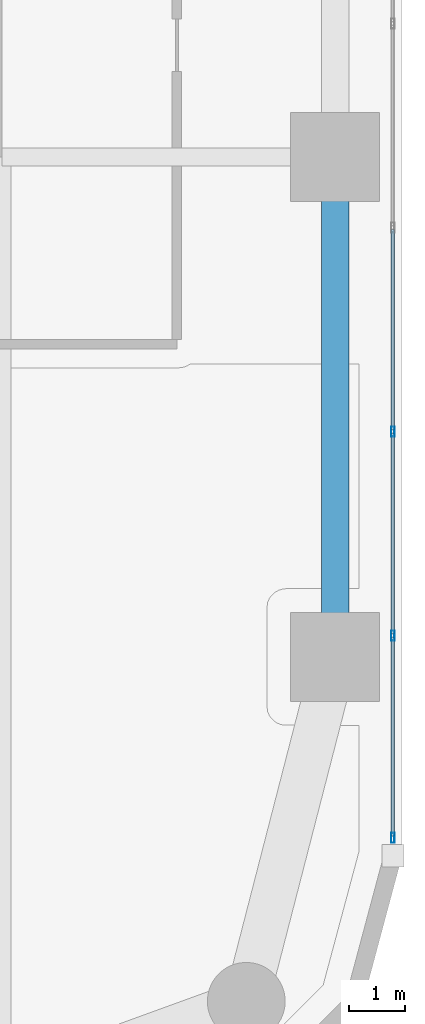
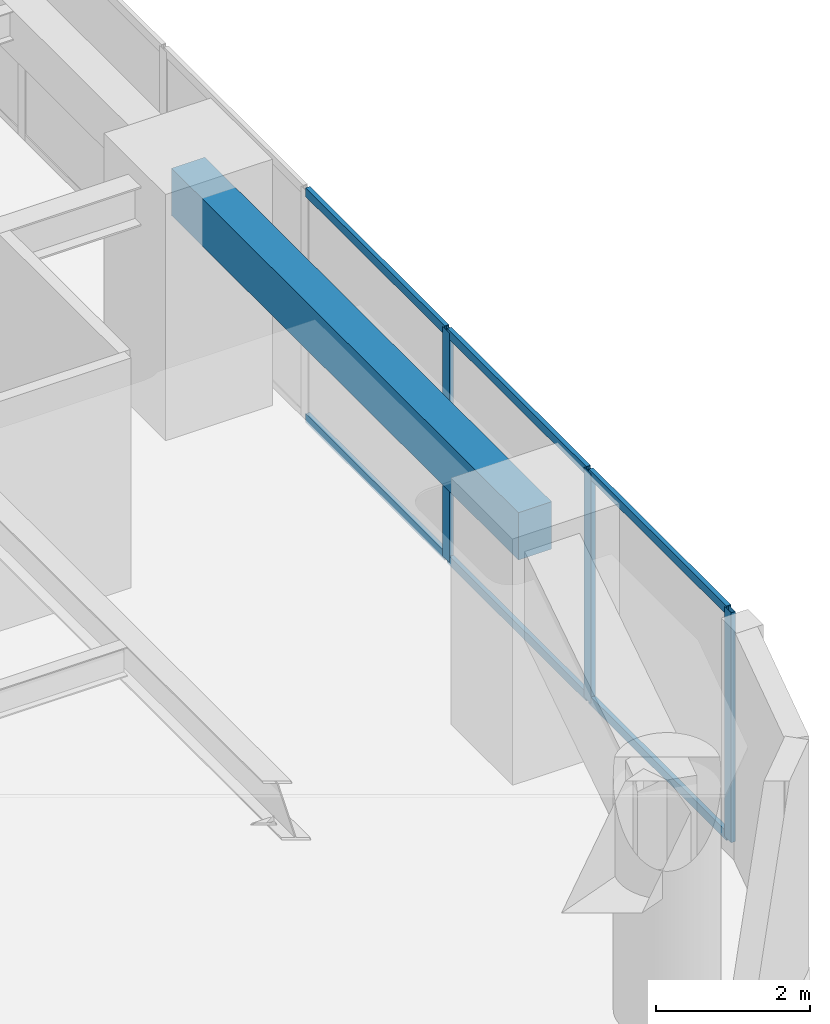
# One storey, part 4 of 24: 9 members, 1 beam, 1 element without a shape of its own.
"""IFC4 building model written with IfcOpenShell, lengths in metres."""

import ifcopenshell
import ifcopenshell.guid

model = None  # the IFC model being written
_history = None  # IfcOwnerHistory: only IFC2X3 demands one
_inside = {}  # id of a spatial element -> (the spatial element, [elements in it])
_under = {}  # id of a project, library or spatial element -> (it, [spatial elements below it])
_declared = {}  # id of a project -> (the project, [libraries it declares])
_typed = {}  # id of a type object -> (the type object, [elements of that type])
_made_of = {}  # id of a material, layer set ... -> (it, [elements and type objects made of it])


def new_model(schema):
    """Start an empty IFC model of exactly this schema.

    Asked for "IFC4X3", IfcOpenShell would pick the latest addendum, in which some entities
    have other attributes; the version numbers below select the first issue.
    IFC2X3 requires an IfcOwnerHistory on every rooted entity: one is made here for all.
    """
    global model, _history
    if schema == "IFC4X3":
        model = ifcopenshell.file(schema_version=(4, 3, 0, 0))
    else:
        model = ifcopenshell.file(schema=schema)
    _inside.clear()
    _under.clear()
    _declared.clear()
    _typed.clear()
    _made_of.clear()
    _history = None
    if model.schema == "IFC2X3":
        org = make("IfcOrganization", Name="unknown")
        user = make(
            "IfcPersonAndOrganization",
            ThePerson=make("IfcPerson", FamilyName="unknown"),
            TheOrganization=org,
        )
        app = make(
            "IfcApplication",
            ApplicationDeveloper=org,
            Version="unknown",
            ApplicationFullName="unknown",
            ApplicationIdentifier="unknown",
        )
        _history = make(
            "IfcOwnerHistory",
            OwningUser=user,
            OwningApplication=app,
            ChangeAction="ADDED",
            CreationDate=0,
        )
    return model


def make(cls, **values):
    """One entity of the class cls with the attributes given. An attribute that is None is left unset."""
    return model.create_entity(
        cls, **{name: value for name, value in values.items() if value is not None}
    )


def rooted(cls, **values):
    """An entity with a GlobalId (a new one), such as an element, a storey or a relation."""
    return make(cls, GlobalId=ifcopenshell.guid.new(), OwnerHistory=_history, **values)


def si_unit(unit_type, name, prefix=None):
    """IfcSIUnit, for example si_unit("LENGTHUNIT", "METRE", prefix="MILLI")."""
    return make("IfcSIUnit", UnitType=unit_type, Prefix=prefix, Name=name)


def assignment(units):
    """IfcUnitAssignment: the units of a project."""
    return None if units is None else make("IfcUnitAssignment", Units=units)


def point(xyz):
    """IfcCartesianPoint."""
    return None if xyz is None else make("IfcCartesianPoint", Coordinates=xyz)


def direction(xyz):
    """IfcDirection."""
    return None if xyz is None else make("IfcDirection", DirectionRatios=xyz)


def frame(location, z_axis=None, x_axis=None):
    """IfcAxis2Placement3D, a coordinate frame: its origin and axes. An axis left out is left unset."""
    return make(
        "IfcAxis2Placement3D",
        Location=point(location),
        Axis=direction(z_axis),
        RefDirection=direction(x_axis),
    )


def frame_2d(location, x_axis=None):
    """IfcAxis2Placement2D, a coordinate frame in the plane: its origin and x axis."""
    return make(
        "IfcAxis2Placement2D", Location=point(location), RefDirection=direction(x_axis)
    )


def origin():
    """The frame at (0, 0, 0) with its axes left unset."""
    return frame((0.0, 0.0, 0.0))


def origin_2d():
    """The frame at (0, 0) in the plane with its x axis left unset."""
    return frame_2d((0.0, 0.0))


def place(relative_to, where):
    """IfcLocalPlacement: puts the frame where relative to a parent placement (None: the world)."""
    return make(
        "IfcLocalPlacement", PlacementRelTo=relative_to, RelativePlacement=where
    )


def context(
    kind, dimensions, precision=None, world=None, true_north=None, identifier=None
):
    """IfcGeometricRepresentationContext, for example the 3D "Model" context."""
    return make(
        "IfcGeometricRepresentationContext",
        ContextIdentifier=identifier,
        ContextType=kind,
        CoordinateSpaceDimension=dimensions,
        Precision=precision,
        WorldCoordinateSystem=world,
        TrueNorth=true_north,
    )


def subcontext(parent, identifier, kind, view, scale=None):
    """IfcGeometricRepresentationSubContext, for example "Body" below "Model"."""
    return make(
        "IfcGeometricRepresentationSubContext",
        ContextIdentifier=identifier,
        ContextType=kind,
        ParentContext=parent,
        TargetScale=scale,
        TargetView=view,
    )


def project(units=None, contexts=None):
    """IfcProject with its units and contexts."""
    return rooted(
        "IfcProject",
        Name="project",
        RepresentationContexts=contexts,
        UnitsInContext=assignment(units),
    )


def spatial(cls, under=None, at=None, **own):
    """A site, building, storey or space (cls), placed at a placement, below another one or the project."""
    s = rooted(cls, ObjectPlacement=at, **own)
    if under is not None:
        _under.setdefault(under.id(), (under, []))[1].append(s)
    return s


def profile(cls, at=None, kind="AREA", **sizes):
    """A parametric profile (cls). Its sizes go by their IFC names, for example OverallWidth=200.0."""
    return make(cls, ProfileType=kind, Position=at, **sizes)


def rectangle(**sizes):
    """IfcRectangleProfileDef."""
    return profile("IfcRectangleProfileDef", **sizes)


def hollow_rectangle(**sizes):
    """IfcRectangleHollowProfileDef."""
    return profile("IfcRectangleHollowProfileDef", **sizes)


def extrude(swept, where, along, depth):
    """IfcExtrudedAreaSolid: the profile swept, set in the frame where, extruded along a direction by depth."""
    return make(
        "IfcExtrudedAreaSolid",
        SweptArea=swept,
        Position=where,
        ExtrudedDirection=direction(along),
        Depth=depth,
    )


def shape(context_of_items, identifier, shape_type, items):
    """IfcShapeRepresentation: the items that make up one representation, for example the "Body"."""
    return make(
        "IfcShapeRepresentation",
        ContextOfItems=context_of_items,
        RepresentationIdentifier=identifier,
        RepresentationType=shape_type,
        Items=items,
    )


def material(Name=None, Category=None):
    """IfcMaterial."""
    return make("IfcMaterial", Name=Name, Category=Category)


def layer(
    of_material, thickness, ventilated=None, Name=None, Category=None, Priority=None
):
    """IfcMaterialLayer: one layer of a wall or slab, of a material (None: an air gap)."""
    return make(
        "IfcMaterialLayer",
        Material=of_material,
        LayerThickness=thickness,
        IsVentilated=ventilated,
        Name=Name,
        Category=Category,
        Priority=Priority,
    )


def layer_set(layers, Name=None):
    """IfcMaterialLayerSet."""
    return make("IfcMaterialLayerSet", MaterialLayers=layers, LayerSetName=Name)


def material_profile(
    of_material, cross_section, Name=None, Category=None, Priority=None
):
    """IfcMaterialProfile: a cross section and its material."""
    return make(
        "IfcMaterialProfile",
        Name=Name,
        Material=of_material,
        Profile=cross_section,
        Priority=Priority,
        Category=Category,
    )


def profile_set(profiles, Name=None, composite=None):
    """IfcMaterialProfileSet."""
    return make(
        "IfcMaterialProfileSet",
        Name=Name,
        MaterialProfiles=profiles,
        CompositeProfile=composite,
    )


def made_of(thing, what):
    """Note that an element or type object is made of a material, layer set ...; save() writes the relation."""
    if what is not None:
        _made_of.setdefault(what.id(), (what, []))[1].append(thing)
    return thing


def type_object(cls, material=None, **own):
    """A type object (cls), such as IfcWallType, which elements share."""
    return made_of(rooted(cls, **own), material)


def element(
    cls,
    number,
    at=None,
    inside=None,
    cuts=None,
    type_object=None,
    material=None,
    context=None,
    identifier="Body",
    shape_type=None,
    held_by="IfcProductDefinitionShape",
    body=None,
    shapes=None,
    **own,
):
    """One element of the class cls, such as IfcWall. Its Tag is "e" and its number.

    at: its placement. inside: the storey or other place that contains it. cuts: it is an
    opening in that element (IfcRelVoidsElement). A single representation is given by context,
    identifier, shape_type and body (its items); several are given by shapes. held_by: the class
    of the entity that holds the representations. save() writes the other relations.
    """
    e = rooted(cls, Tag="e%d" % number, ObjectPlacement=at, **own)
    if body is not None:
        shapes = [shape(context, identifier, shape_type, body)]
    if shapes is not None:
        e.Representation = make(held_by, Representations=shapes)
    if inside is not None:
        _inside.setdefault(inside.id(), (inside, []))[1].append(e)
    if cuts is not None:
        rooted(
            "IfcRelVoidsElement", RelatingBuildingElement=cuts, RelatedOpeningElement=e
        )
    if type_object is not None:
        _typed.setdefault(type_object.id(), (type_object, []))[1].append(e)
    return made_of(e, material)


def aggregate(whole, parts):
    """IfcRelAggregates: a whole, such as a stair, and the parts it consists of."""
    return rooted("IfcRelAggregates", RelatingObject=whole, RelatedObjects=parts)


def save(model, path):
    """Write the relations noted so far, then the file.

    IfcRelAggregates (storeys below a building ...), IfcRelContainedInSpatialStructure (elements
    in a storey), IfcRelDefinesByType, IfcRelAssociatesMaterial and IfcRelDeclares: one each for
    every whole, place, type object, material and project.
    """
    for whole, parts in _under.values():
        aggregate(whole, parts)
    for where, things in _inside.values():
        rooted(
            "IfcRelContainedInSpatialStructure",
            RelatedElements=things,
            RelatingStructure=where,
        )
    for kind, things in _typed.values():
        rooted("IfcRelDefinesByType", RelatedObjects=things, RelatingType=kind)
    for what, things in _made_of.values():
        rooted("IfcRelAssociatesMaterial", RelatedObjects=things, RelatingMaterial=what)
    for by, libraries in _declared.values():
        rooted("IfcRelDeclares", RelatingContext=by, RelatedDefinitions=libraries)
    model.write(path)


model = new_model("IFC4")

# Units and contexts
model_context = context("Model", 3, precision=1e-05, world=origin(), true_north=direction((0.0, 1.0)))
body_context = subcontext(model_context, "Body", "Model", "MODEL_VIEW")
ifc_project = project(units=[si_unit("LENGTHUNIT", "METRE"), si_unit("AREAUNIT", "SQUARE_METRE"), si_unit("VOLUMEUNIT", "CUBIC_METRE"), si_unit("PLANEANGLEUNIT", "RADIAN"), si_unit("MASSUNIT", "GRAM", prefix="KILO")], contexts=[model_context])

# Site, building, storey
site_placement = place(None, origin())
site = spatial("IfcSite", under=ifc_project, at=site_placement, CompositionType="ELEMENT")
building_placement = place(site_placement, origin())
building = spatial("IfcBuilding", under=site, at=building_placement, Name="Kiyonajd Concourse Tower", CompositionType="ELEMENT")
storey_placement = place(building_placement, frame((0.0, 0.0, 85.800048828125)))
storey = spatial("IfcBuildingStorey", under=building, at=storey_placement, Name="L22", CompositionType="ELEMENT", Elevation=85.800048828125)

# Beam
ifc_material_1 = material(Name="Precast concrete C50/60", Category="concrete")
ifc_material_profile_1 = material_profile(ifc_material_1, rectangle(XDim=0.5, YDim=0.75, at=origin_2d()), Name="RCBM-500x750")
ifc_profile_set_1 = profile_set([ifc_material_profile_1], Name="Precast concrete C50/60")
beam_type = type_object("IfcBeamType", Name="BM-SPAN-RC", PredefinedType="SPANDREL", material=ifc_profile_set_1)
beam_placement = place(storey_placement, frame((69.60009765625, 18.60009765625, 3.264892578125), z_axis=(0.0, 1.0, 0.0), x_axis=(-1.0, 0.0, 0.0)))
element("IfcBeam", 1, at=beam_placement, inside=storey, type_object=beam_type, Name="L22 Perimeter Bundled Tube Spandrel", PredefinedType="SPANDREL", context=body_context, shape_type="SweptSolid", body=[
    extrude(rectangle(XDim=0.5, YDim=0.75, at=origin_2d()), origin(), (0.0, 0.0, 1.0), 9.0),
])

# Curtain wall, members
ifc_material_2 = material(Name="Thermally Broken Anodised Aluminium", Category="aluminium")
ifc_layer = layer(ifc_material_2, 0.179931640625)
ifc_layer_set = layer_set([ifc_layer], Name="Thermally Broken Anodised Aluminium")
curtain_wall_type = type_object("IfcCurtainWallType", Name="CW-SYS-03", PredefinedType="NOTDEFINED", material=ifc_layer_set)
curtain_wall_placement = place(storey_placement, origin())
curtain_wall = element("IfcCurtainWall", 2, at=curtain_wall_placement, inside=storey, type_object=curtain_wall_type, Name="L22 Unitised Curtain Wall CW3", PredefinedType="NOTDEFINED")
ifc_material_profile_2 = material_profile(ifc_material_2, hollow_rectangle(XDim=0.06494140625, YDim=0.179931640625, WallThickness=0.00390625, at=origin_2d()), Name="MULL-65x180")
ifc_profile_set_2 = profile_set([ifc_material_profile_2], Name="Thermally Broken Anodised Aluminium")
member_type_1 = type_object("IfcMemberType", Name="MB-CW-MULL1", PredefinedType="MULLION", material=ifc_profile_set_2)
member_1_placement = place(storey_placement, frame((70.639892578125, 22.657470703125, 0.0), z_axis=(0.0, 0.0, 1.0), x_axis=(1.0, 0.0, 0.0)))
member_1 = element("IfcMember", 3, at=member_1_placement, type_object=member_type_1, Name="CW3 mullion 5", PredefinedType="MULLION", context=body_context, shape_type="SweptSolid", body=[
    extrude(hollow_rectangle(XDim=0.06494140625, YDim=0.179931640625, WallThickness=0.00390625, at=origin_2d()), origin(), (0.0, 0.0, 1.0), 3.639892578125),
])
member_2_placement = place(storey_placement, frame((70.639892578125, 18.984130859375, 0.0), z_axis=(0.0, 0.0, 1.0), x_axis=(1.0, 0.0, 0.0)))
member_2 = element("IfcMember", 4, at=member_2_placement, type_object=member_type_1, Name="CW3 mullion 6", PredefinedType="MULLION", context=body_context, shape_type="SweptSolid", body=[
    extrude(hollow_rectangle(XDim=0.06494140625, YDim=0.179931640625, WallThickness=0.00390625, at=origin_2d()), origin(), (0.0, 0.0, 1.0), 3.639892578125),
])
member_3_placement = place(storey_placement, frame((70.639892578125, 15.343505859375, 0.0), z_axis=(0.0, 0.0, 1.0), x_axis=(1.0, 0.0, 0.0)))
member_3 = element("IfcMember", 5, at=member_3_placement, type_object=member_type_1, Name="CW3 mullion 7", PredefinedType="MULLION", context=body_context, shape_type="SweptSolid", body=[
    extrude(hollow_rectangle(XDim=0.06494140625, YDim=0.179931640625, WallThickness=0.00390625, at=origin_2d()), origin(), (0.0, 0.0, 1.0), 3.639892578125),
])
ifc_material_profile_3 = material_profile(ifc_material_2, hollow_rectangle(XDim=0.06494140625, YDim=0.139892578125, WallThickness=0.00390625, at=origin_2d()), Name="TRAN-65x140")
ifc_profile_set_3 = profile_set([ifc_material_profile_3], Name="Thermally Broken Anodised Aluminium")
member_type_2 = type_object("IfcMemberType", Name="MB-CW-TRAN1", PredefinedType="USERDEFINED", material=ifc_profile_set_3)
member_4_placement = place(storey_placement, frame((70.639892578125, 26.298095703125, 0.032470703125), z_axis=(0.0, -1.0, 0.0), x_axis=(1.0, 0.0, 0.0)))
member_4 = element("IfcMember", 6, at=member_4_placement, type_object=member_type_2, Name="CW3 transom 4.1", ObjectType="TRANSOM", PredefinedType="USERDEFINED", context=body_context, shape_type="SweptSolid", body=[
    extrude(hollow_rectangle(XDim=0.06494140625, YDim=0.139892578125, WallThickness=0.00390625, at=origin_2d()), origin(), (0.0, 0.0, 1.0), 3.608154296875),
])
member_5_placement = place(storey_placement, frame((70.639892578125, 26.298095703125, 3.607421875), z_axis=(0.0, -1.0, 0.0), x_axis=(1.0, 0.0, 0.0)))
member_5 = element("IfcMember", 7, at=member_5_placement, type_object=member_type_2, Name="CW3 transom 4.2", ObjectType="TRANSOM", PredefinedType="USERDEFINED", context=body_context, shape_type="SweptSolid", body=[
    extrude(hollow_rectangle(XDim=0.06494140625, YDim=0.139892578125, WallThickness=0.00390625, at=origin_2d()), origin(), (0.0, 0.0, 1.0), 3.608154296875),
])
member_6_placement = place(storey_placement, frame((70.639892578125, 22.625, 0.032470703125), z_axis=(0.0, -1.0, 0.0), x_axis=(1.0, 0.0, 0.0)))
member_6 = element("IfcMember", 8, at=member_6_placement, type_object=member_type_2, Name="CW3 transom 5.1", ObjectType="TRANSOM", PredefinedType="USERDEFINED", context=body_context, shape_type="SweptSolid", body=[
    extrude(hollow_rectangle(XDim=0.06494140625, YDim=0.139892578125, WallThickness=0.00390625, at=origin_2d()), origin(), (0.0, 0.0, 1.0), 3.608154296875),
])
member_7_placement = place(storey_placement, frame((70.639892578125, 22.625, 3.607421875), z_axis=(0.0, -1.0, 0.0), x_axis=(1.0, 0.0, 0.0)))
member_7 = element("IfcMember", 9, at=member_7_placement, type_object=member_type_2, Name="CW3 transom 5.2", ObjectType="TRANSOM", PredefinedType="USERDEFINED", context=body_context, shape_type="SweptSolid", body=[
    extrude(hollow_rectangle(XDim=0.06494140625, YDim=0.139892578125, WallThickness=0.00390625, at=origin_2d()), origin(), (0.0, 0.0, 1.0), 3.608154296875),
])
member_8_placement = place(storey_placement, frame((70.639892578125, 18.95166015625, 0.032470703125), z_axis=(0.0, -1.0, 0.0), x_axis=(1.0, 0.0, 0.0)))
member_8 = element("IfcMember", 10, at=member_8_placement, type_object=member_type_2, Name="CW3 transom 6.1", ObjectType="TRANSOM", PredefinedType="USERDEFINED", context=body_context, shape_type="SweptSolid", body=[
    extrude(hollow_rectangle(XDim=0.06494140625, YDim=0.139892578125, WallThickness=0.00390625, at=origin_2d()), origin(), (0.0, 0.0, 1.0), 3.575439453125),
])
member_9_placement = place(storey_placement, frame((70.639892578125, 18.95166015625, 3.607421875), z_axis=(0.0, -1.0, 0.0), x_axis=(1.0, 0.0, 0.0)))
member_9 = element("IfcMember", 11, at=member_9_placement, type_object=member_type_2, Name="CW3 transom 6.2", ObjectType="TRANSOM", PredefinedType="USERDEFINED", context=body_context, shape_type="SweptSolid", body=[
    extrude(hollow_rectangle(XDim=0.06494140625, YDim=0.139892578125, WallThickness=0.00390625, at=origin_2d()), origin(), (0.0, 0.0, 1.0), 3.575439453125),
])
aggregate(curtain_wall, [member_1, member_2, member_3, member_4, member_5, member_6, member_7, member_8, member_9])

save(model, "model.ifc")
